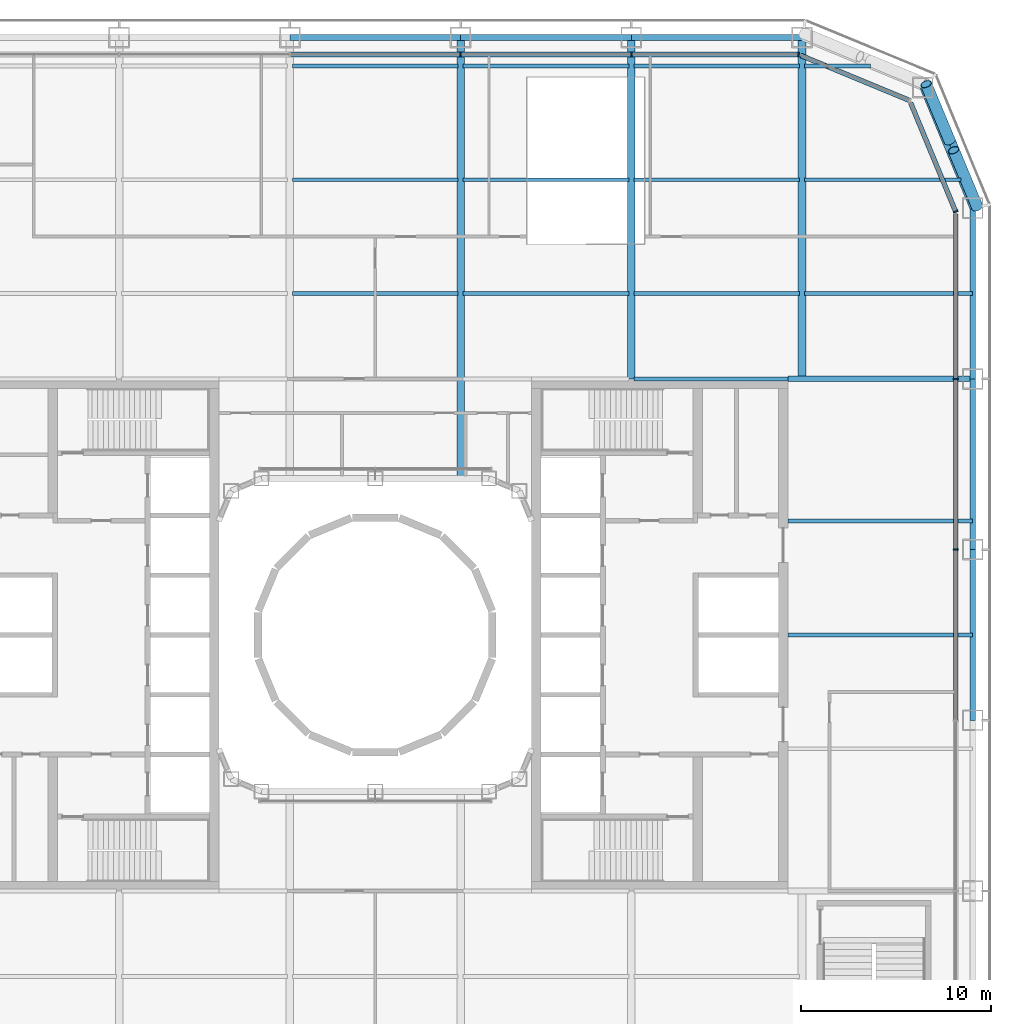
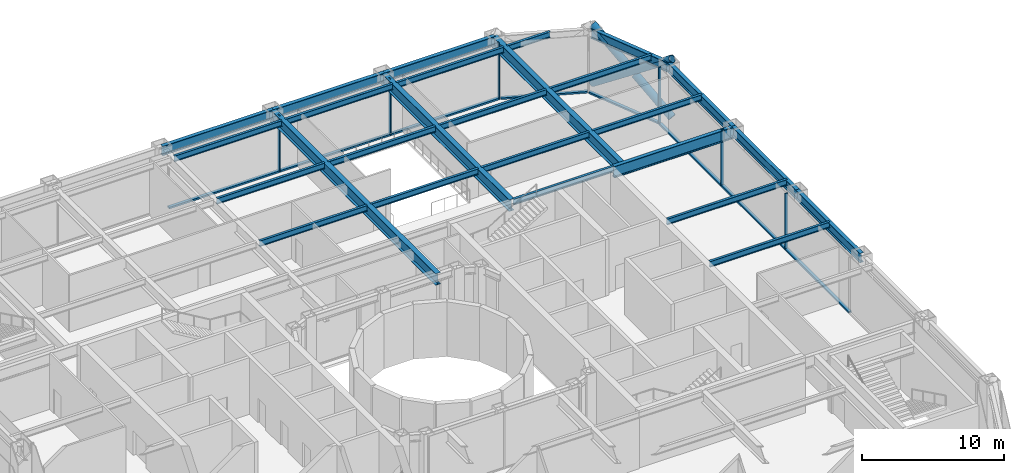
# One storey, part 9 of 24: 26 beams, 17 members, 4 elements without a shape of their own.
"""IFC4 building model written with IfcOpenShell, lengths in metres."""

from ifc_helpers import new_model, si_unit, direction, frame, origin, origin_2d, place, context, subcontext, project, spatial, rectangle, hollow_circle, i_section, extrude, material, layer, layer_set, material_profile, profile_set, type_object, element, aggregate, save


model = new_model("IFC4")

# Units and contexts
model_context = context("Model", 3, precision=1e-05, world=origin(), true_north=direction((0.0, 1.0)))
body_context = subcontext(model_context, "Body", "Model", "MODEL_VIEW")
ifc_project = project(units=[si_unit("LENGTHUNIT", "METRE"), si_unit("AREAUNIT", "SQUARE_METRE"), si_unit("VOLUMEUNIT", "CUBIC_METRE"), si_unit("PLANEANGLEUNIT", "RADIAN"), si_unit("MASSUNIT", "GRAM", prefix="KILO")], contexts=[model_context])

# Site, building, storey
site_placement = place(None, origin())
site = spatial("IfcSite", under=ifc_project, at=site_placement, CompositionType="ELEMENT")
building_placement = place(site_placement, origin())
building = spatial("IfcBuilding", under=site, at=building_placement, Name="Siwar Civic Tower", CompositionType="ELEMENT")
storey_placement = place(building_placement, frame((0.0, 0.0, 12.199951171875)))
storey = spatial("IfcBuildingStorey", under=building, at=storey_placement, Name="L02", CompositionType="ELEMENT", Elevation=12.199951171875)

# Curtain wall, members
ifc_material_1 = material(Name="Aluminium and glass", Category="aluminium")
ifc_layer_1 = layer(ifc_material_1, 0.25)
ifc_layer_set_1 = layer_set([ifc_layer_1], Name="Aluminium and glass")
curtain_wall_type_1 = type_object("IfcCurtainWallType", Name="ENV-CW-H", PredefinedType="NOTDEFINED", material=ifc_layer_set_1)
curtain_wall_1_placement = place(storey_placement, origin())
curtain_wall_1 = element("IfcCurtainWall", 1, at=curtain_wall_1_placement, inside=storey, type_object=curtain_wall_type_1, Name="Curtain wall H E", PredefinedType="NOTDEFINED")
ifc_material_2 = material(Name="Aluminium 6063-T6", Category="aluminium")
ifc_material_profile_1 = material_profile(ifc_material_2, rectangle(XDim=0.25, YDim=0.080078125, at=origin_2d()), Name="AL 250x80")
ifc_profile_set_1 = profile_set([ifc_material_profile_1], Name="Aluminium 6063-T6")
member_type_1 = type_object("IfcMemberType", Name="ENV-MULLION-H", PredefinedType="MULLION", material=ifc_profile_set_1)
member_1_placement = place(storey_placement, frame((30.60009765625, 4.5, 0.0), z_axis=(0.0, 0.0, 1.0), x_axis=(-1.0, 0.0, 0.0)))
member_1 = element("IfcMember", 2, at=member_1_placement, type_object=member_type_1, Name="Mullion H E 4", PredefinedType="MULLION", context=body_context, shape_type="SweptSolid", body=[
    extrude(rectangle(XDim=0.25, YDim=0.080078125, at=origin_2d()), origin(), (0.0, 0.0, 1.0), 4.85009765625),
])
member_2_placement = place(storey_placement, frame((30.60009765625, 13.5, 0.0), z_axis=(0.0, 0.0, 1.0), x_axis=(-1.0, 0.0, 0.0)))
member_2 = element("IfcMember", 3, at=member_2_placement, type_object=member_type_1, Name="Mullion H E 5", PredefinedType="MULLION", context=body_context, shape_type="SweptSolid", body=[
    extrude(rectangle(XDim=0.25, YDim=0.080078125, at=origin_2d()), origin(), (0.0, 0.0, 1.0), 4.85009765625),
])

# Curtain wall, member
ifc_material_3 = material(Name="Aluminium clad insulated panel", Category="aluminium")
ifc_layer_2 = layer(ifc_material_3, 0.25)
ifc_layer_set_2 = layer_set([ifc_layer_2], Name="Aluminium clad insulated panel")
curtain_wall_type_2 = type_object("IfcCurtainWallType", Name="ENV-CW-HX", PredefinedType="NOTDEFINED", material=ifc_layer_set_2)
curtain_wall_2_placement = place(storey_placement, origin())
curtain_wall_2 = element("IfcCurtainWall", 4, at=curtain_wall_2_placement, inside=storey, type_object=curtain_wall_type_2, Name="Curtain wall H NE1", PredefinedType="NOTDEFINED")
member_3_placement = place(storey_placement, frame((30.60009765625, 22.321044921875, 0.0), z_axis=(0.0, 0.0, 1.0), x_axis=(-0.923879532511, -0.382683432365, 0.0)))
member_3 = element("IfcMember", 5, at=member_3_placement, type_object=member_type_1, Name="Mullion H NE1 1", PredefinedType="MULLION", context=body_context, shape_type="SweptSolid", body=[
    extrude(rectangle(XDim=0.25, YDim=0.080078125, at=origin_2d()), origin(), (0.0, 0.0, 1.0), 4.85009765625),
])

# Curtain wall, members
curtain_wall_3_placement = place(storey_placement, origin())
curtain_wall_3 = element("IfcCurtainWall", 6, at=curtain_wall_3_placement, inside=storey, type_object=curtain_wall_type_1, Name="Curtain wall H N", PredefinedType="NOTDEFINED")
member_4_placement = place(storey_placement, frame((22.321044921875, 30.60009765625, 0.0), z_axis=(0.0, 0.0, 1.0), x_axis=(0.0, -1.0, 0.0)))
member_4 = element("IfcMember", 7, at=member_4_placement, type_object=member_type_1, Name="Mullion H N 1", PredefinedType="MULLION", context=body_context, shape_type="SweptSolid", body=[
    extrude(rectangle(XDim=0.25, YDim=0.080078125, at=origin_2d()), origin(), (0.0, 0.0, 1.0), 4.85009765625),
])
member_5_placement = place(storey_placement, frame((13.5, 30.60009765625, 0.0), z_axis=(0.0, 0.0, 1.0), x_axis=(0.0, -1.0, 0.0)))
member_5 = element("IfcMember", 8, at=member_5_placement, type_object=member_type_1, Name="Mullion H N 2", PredefinedType="MULLION", context=body_context, shape_type="SweptSolid", body=[
    extrude(rectangle(XDim=0.25, YDim=0.080078125, at=origin_2d()), origin(), (0.0, 0.0, 1.0), 4.85009765625),
])
member_6_placement = place(storey_placement, frame((4.5, 30.60009765625, 0.0), z_axis=(0.0, 0.0, 1.0), x_axis=(0.0, -1.0, 0.0)))
member_6 = element("IfcMember", 9, at=member_6_placement, type_object=member_type_1, Name="Mullion H N 3", PredefinedType="MULLION", context=body_context, shape_type="SweptSolid", body=[
    extrude(rectangle(XDim=0.25, YDim=0.080078125, at=origin_2d()), origin(), (0.0, 0.0, 1.0), 4.85009765625),
])

# Member
ifc_material_4 = material(Name="Aluminium 6063-T6", Category="aluminium")
ifc_material_profile_2 = material_profile(ifc_material_4, rectangle(XDim=0.25, YDim=0.139892578125, at=origin_2d()), Name="AL 250x140")
ifc_profile_set_2 = profile_set([ifc_material_profile_2], Name="Aluminium 6063-T6")
member_type_2 = type_object("IfcMemberType", Name="ENV-TRANSOM-H", PredefinedType="USERDEFINED", material=ifc_profile_set_2)
member_7_placement = place(storey_placement, frame((30.60009765625, -4.4599609375, 0.070068359375), z_axis=(0.0, 1.0, 0.0), x_axis=(-1.0, 0.0, 0.0)))
member_7 = element("IfcMember", 10, at=member_7_placement, type_object=member_type_2, Name="Transom H E 3", ObjectType="TRANSOM", PredefinedType="USERDEFINED", context=body_context, shape_type="SweptSolid", body=[
    extrude(rectangle(XDim=0.25, YDim=0.139892578125, at=origin_2d()), origin(), (0.0, 0.0, 1.0), 8.919921875),
])

member_8_placement = place(storey_placement, frame((30.60009765625, 4.5400390625, 0.070068359375), z_axis=(0.0, 1.0, 0.0), x_axis=(-1.0, 0.0, 0.0)))
member_8 = element("IfcMember", 11, at=member_8_placement, type_object=member_type_2, Name="Transom H E 4", ObjectType="TRANSOM", PredefinedType="USERDEFINED", context=body_context, shape_type="SweptSolid", body=[
    extrude(rectangle(XDim=0.25, YDim=0.139892578125, at=origin_2d()), origin(), (0.0, 0.0, 1.0), 8.919921875),
])

member_9_placement = place(storey_placement, frame((30.60009765625, 13.5400390625, 0.070068359375), z_axis=(0.0, 1.0, 0.0), x_axis=(-1.0, 0.0, 0.0)))
member_9 = element("IfcMember", 12, at=member_9_placement, type_object=member_type_2, Name="Transom H E 5", ObjectType="TRANSOM", PredefinedType="USERDEFINED", context=body_context, shape_type="SweptSolid", body=[
    extrude(rectangle(XDim=0.25, YDim=0.139892578125, at=origin_2d()), origin(), (0.0, 0.0, 1.0), 8.644287109375),
])

aggregate(curtain_wall_1, [member_1, member_2, member_7, member_8, member_9])

member_10_placement = place(storey_placement, frame((30.584716796875, 22.35791015625, 0.070068359375), z_axis=(-0.382672669604, 0.92388399052, 0.0), x_axis=(-0.92388399052, -0.382672669604, 0.0)))
member_10 = element("IfcMember", 13, at=member_10_placement, type_object=member_type_2, Name="Transom H NE1 1", ObjectType="TRANSOM", PredefinedType="USERDEFINED", context=body_context, shape_type="SweptSolid", body=[
    extrude(rectangle(XDim=0.25, YDim=0.139892578125, at=origin_2d()), origin(), (0.0, 0.0, 1.0), 6.15966796875),
])

aggregate(curtain_wall_2, [member_3, member_10])

# Curtain wall, member
curtain_wall_4_placement = place(storey_placement, origin())
curtain_wall_4 = element("IfcCurtainWall", 14, at=curtain_wall_4_placement, inside=storey, type_object=curtain_wall_type_2, Name="Curtain wall H NE2", PredefinedType="NOTDEFINED")
member_11_placement = place(storey_placement, frame((28.13818359375, 28.1904296875, 0.070068359375), z_axis=(-0.92388399052, 0.382672669604, 0.0), x_axis=(-0.382672669604, -0.92388399052, 0.0)))
member_11 = element("IfcMember", 15, at=member_11_placement, type_object=member_type_2, Name="Transom H NE2 1", ObjectType="TRANSOM", PredefinedType="USERDEFINED", context=body_context, shape_type="SweptSolid", body=[
    extrude(rectangle(XDim=0.25, YDim=0.139892578125, at=origin_2d()), origin(), (0.0, 0.0, 1.0), 6.15966796875),
])
aggregate(curtain_wall_4, [member_11])

# Member
member_12_placement = place(storey_placement, frame((22.281005859375, 30.60009765625, 0.070068359375), z_axis=(-1.0, 0.0, 0.0), x_axis=(0.0, -1.0, 0.0)))
member_12 = element("IfcMember", 16, at=member_12_placement, type_object=member_type_2, Name="Transom H N 1", ObjectType="TRANSOM", PredefinedType="USERDEFINED", context=body_context, shape_type="SweptSolid", body=[
    extrude(rectangle(XDim=0.25, YDim=0.139892578125, at=origin_2d()), origin(), (0.0, 0.0, 1.0), 8.740966796875),
])

member_13_placement = place(storey_placement, frame((13.4599609375, 30.60009765625, 0.070068359375), z_axis=(-1.0, 0.0, 0.0), x_axis=(0.0, -1.0, 0.0)))
member_13 = element("IfcMember", 17, at=member_13_placement, type_object=member_type_2, Name="Transom H N 2", ObjectType="TRANSOM", PredefinedType="USERDEFINED", context=body_context, shape_type="SweptSolid", body=[
    extrude(rectangle(XDim=0.25, YDim=0.139892578125, at=origin_2d()), origin(), (0.0, 0.0, 1.0), 8.919921875),
])

member_14_placement = place(storey_placement, frame((4.4599609375, 30.60009765625, 0.070068359375), z_axis=(-1.0, 0.0, 0.0), x_axis=(0.0, -1.0, 0.0)))
member_14 = element("IfcMember", 18, at=member_14_placement, type_object=member_type_2, Name="Transom H N 3", ObjectType="TRANSOM", PredefinedType="USERDEFINED", context=body_context, shape_type="SweptSolid", body=[
    extrude(rectangle(XDim=0.25, YDim=0.139892578125, at=origin_2d()), origin(), (0.0, 0.0, 1.0), 8.919921875),
])

aggregate(curtain_wall_3, [member_4, member_5, member_6, member_12, member_13, member_14])

# Members
ifc_material_5 = material(Name="Steel S355", Category="steel")
ifc_material_profile_3 = material_profile(ifc_material_5, hollow_circle(Radius=0.304931640625, WallThickness=0.030029296875, at=origin_2d()), Name="CHS610x30")
ifc_profile_set_3 = profile_set([ifc_material_profile_3], Name="Steel S355")
member_type_3 = type_object("IfcMemberType", Name="STR-BR-CHS610x30", PredefinedType="BRACE", material=ifc_profile_set_3)
member_15_placement = place(storey_placement, frame((29.040771484375, 29.040771484375, 0.0), z_axis=(0.313403721941, -0.752344350468, 0.579444635312), x_axis=(0.923108759191, 0.384538969033, 0.0)))
element("IfcMember", 19, at=member_15_placement, inside=storey, type_object=member_type_3, Name="L02/brc/ANE1-1-0-0", PredefinedType="BRACE", context=body_context, shape_type="SweptSolid", body=[
    extrude(hollow_circle(Radius=0.304931640625, WallThickness=0.030029296875, at=origin_2d()), origin(), (0.0, 0.0, 1.0), 8.62890625),
])
for number, where, z_axis, x_axis, name in (
    (20, (31.7451171875, 22.548828125, 0.0), (-0.313373422739, 0.752340560323, 0.5794659431), (-0.923121267833, -0.384508939914, 0.0), "L02/brc/ANE1-1-0-4"),
    (21, (30.293212890625, 26.033935546875, 2.684326171875), (-0.313384515382, 0.752367191316, 0.57942536616), (-0.923121267833, -0.384508939914, 0.0), "L02/brc/ANE1-1-0-5"),
):
    element("IfcMember", number, at=place(storey_placement, frame(where, z_axis=z_axis, x_axis=x_axis)), inside=storey, type_object=member_type_3, Name=name, PredefinedType="BRACE", context=body_context, shape_type="SweptSolid", body=[
        extrude(hollow_circle(Radius=0.304931640625, WallThickness=0.030029296875, at=origin_2d()), origin(), (0.0, 0.0, 1.0), 3.99658203125),
    ])

# Beams
ifc_material_6 = material(Name="Steel S355", Category="steel")
ifc_material_profile_4 = material_profile(ifc_material_6, i_section(OverallWidth=0.199951171875, OverallDepth=0.5, WebThickness=0.01025390625, FlangeThickness=0.01611328125, FilletRadius=0.02099609375, at=origin_2d()), Name="IPE500")
ifc_profile_set_4 = profile_set([ifc_material_profile_4], Name="Steel S355")
beam_type_1 = type_object("IfcBeamType", Name="STR-FB-IPE500", PredefinedType="JOIST", material=ifc_profile_set_4)
for number, where, z_axis, x_axis, name in (
    (22, (21.75, 0.0, 4.60009765625), (1.0, 0.0, 0.0), (0.0, 1.0, 0.0), "L02/bm/F032"),
    (23, (21.75, 6.0, 4.60009765625), (1.0, 0.0, 0.0), (0.0, 1.0, 0.0), "L02/bm/F034"),
):
    element("IfcBeam", number, at=place(storey_placement, frame(where, z_axis=z_axis, x_axis=x_axis)), inside=storey, type_object=beam_type_1, Name=name, PredefinedType="JOIST", context=body_context, shape_type="SweptSolid", body=[
        extrude(i_section(OverallWidth=0.199951171875, OverallDepth=0.5, WebThickness=0.01025390625, FlangeThickness=0.01611328125, FilletRadius=0.02099609375, at=origin_2d()), origin(), (0.0, 0.0, 1.0), 9.75),
    ])
beam_1_placement = place(storey_placement, frame((13.6298828125, 13.5, 4.60009765625), z_axis=(1.0, 0.0, 0.0), x_axis=(0.0, 1.0, 0.0)))
element("IfcBeam", 24, at=beam_1_placement, inside=storey, type_object=beam_type_1, Name="L02/bm/F042", PredefinedType="JOIST", context=body_context, shape_type="SweptSolid", body=[
    extrude(i_section(OverallWidth=0.199951171875, OverallDepth=0.5, WebThickness=0.01025390625, FlangeThickness=0.01611328125, FilletRadius=0.02099609375, at=origin_2d()), origin(), (0.0, 0.0, 1.0), 8.1201171875),
])
for number, where, z_axis, x_axis, name in (
    (25, (-4.3701171875, 18.0, 4.60009765625), (1.0, 0.0, 0.0), (0.0, 1.0, 0.0), "L02/bm/F046"),
    (26, (4.6298828125, 18.0, 4.60009765625), (1.0, 0.0, 0.0), (0.0, 1.0, 0.0), "L02/bm/F047"),
    (27, (13.6298828125, 18.0, 4.60009765625), (1.0, 0.0, 0.0), (0.0, 1.0, 0.0), "L02/bm/F048"),
):
    element("IfcBeam", number, at=place(storey_placement, frame(where, z_axis=z_axis, x_axis=x_axis)), inside=storey, type_object=beam_type_1, Name=name, PredefinedType="JOIST", context=body_context, shape_type="SweptSolid", body=[
        extrude(i_section(OverallWidth=0.199951171875, OverallDepth=0.5, WebThickness=0.01025390625, FlangeThickness=0.01611328125, FilletRadius=0.02099609375, at=origin_2d()), origin(), (0.0, 0.0, 1.0), 8.740234375),
    ])
beam_2_placement = place(storey_placement, frame((22.6298828125, 18.0, 4.60009765625), z_axis=(1.0, 0.0, 0.0), x_axis=(0.0, 1.0, 0.0)))
element("IfcBeam", 28, at=beam_2_placement, inside=storey, type_object=beam_type_1, Name="L02/bm/F049", PredefinedType="JOIST", context=body_context, shape_type="SweptSolid", body=[
    extrude(i_section(OverallWidth=0.199951171875, OverallDepth=0.5, WebThickness=0.01025390625, FlangeThickness=0.01611328125, FilletRadius=0.02099609375, at=origin_2d()), origin(), (0.0, 0.0, 1.0), 8.8701171875),
])
for number, where, z_axis, x_axis, name in (
    (29, (-4.3701171875, 24.0, 4.60009765625), (1.0, 0.0, 0.0), (0.0, 1.0, 0.0), "L02/bm/F052"),
    (30, (4.6298828125, 24.0, 4.60009765625), (1.0, 0.0, 0.0), (0.0, 1.0, 0.0), "L02/bm/F053"),
    (31, (13.6298828125, 24.0, 4.60009765625), (1.0, 0.0, 0.0), (0.0, 1.0, 0.0), "L02/bm/F054"),
):
    element("IfcBeam", number, at=place(storey_placement, frame(where, z_axis=z_axis, x_axis=x_axis)), inside=storey, type_object=beam_type_1, Name=name, PredefinedType="JOIST", context=body_context, shape_type="SweptSolid", body=[
        extrude(i_section(OverallWidth=0.199951171875, OverallDepth=0.5, WebThickness=0.01025390625, FlangeThickness=0.01611328125, FilletRadius=0.02099609375, at=origin_2d()), origin(), (0.0, 0.0, 1.0), 8.740234375),
    ])
beam_3_placement = place(storey_placement, frame((22.6298828125, 24.0, 4.60009765625), z_axis=(1.0, 0.0, 0.0), x_axis=(0.0, 1.0, 0.0)))
element("IfcBeam", 32, at=beam_3_placement, inside=storey, type_object=beam_type_1, Name="L02/bm/F055", PredefinedType="JOIST", context=body_context, shape_type="SweptSolid", body=[
    extrude(i_section(OverallWidth=0.199951171875, OverallDepth=0.5, WebThickness=0.01025390625, FlangeThickness=0.01611328125, FilletRadius=0.02099609375, at=origin_2d()), origin(), (0.0, 0.0, 1.0), 8.248779296875),
])
for number, where, z_axis, x_axis, name in (
    (33, (-4.3701171875, 30.0, 4.60009765625), (1.0, 0.0, 0.0), (0.0, 1.0, 0.0), "L02/bm/F059"),
    (34, (4.6298828125, 30.0, 4.60009765625), (1.0, 0.0, 0.0), (0.0, 1.0, 0.0), "L02/bm/F060"),
    (35, (13.6298828125, 30.0, 4.60009765625), (1.0, 0.0, 0.0), (0.0, 1.0, 0.0), "L02/bm/F061"),
):
    element("IfcBeam", number, at=place(storey_placement, frame(where, z_axis=z_axis, x_axis=x_axis)), inside=storey, type_object=beam_type_1, Name=name, PredefinedType="JOIST", context=body_context, shape_type="SweptSolid", body=[
        extrude(i_section(OverallWidth=0.199951171875, OverallDepth=0.5, WebThickness=0.01025390625, FlangeThickness=0.01611328125, FilletRadius=0.02099609375, at=origin_2d()), origin(), (0.0, 0.0, 1.0), 8.740234375),
    ])
beam_4_placement = place(storey_placement, frame((22.6298828125, 30.0, 4.60009765625), z_axis=(1.0, 0.0, 0.0), x_axis=(0.0, 1.0, 0.0)))
element("IfcBeam", 36, at=beam_4_placement, inside=storey, type_object=beam_type_1, Name="L02/bm/F062", PredefinedType="JOIST", context=body_context, shape_type="SweptSolid", body=[
    extrude(i_section(OverallWidth=0.199951171875, OverallDepth=0.5, WebThickness=0.01025390625, FlangeThickness=0.01611328125, FilletRadius=0.02099609375, at=origin_2d()), origin(), (0.0, 0.0, 1.0), 3.491455078125),
])
ifc_material_7 = material(Name="Steel S355", Category="steel")
ifc_material_profile_5 = material_profile(ifc_material_7, i_section(OverallWidth=0.300048828125, OverallDepth=1.0, WebThickness=0.01904296875, FlangeThickness=0.035888671875, FilletRadius=0.030029296875, at=origin_2d()), Name="HEB1000")
ifc_profile_set_5 = profile_set([ifc_material_profile_5], Name="Steel S355")
beam_type_2 = type_object("IfcBeamType", Name="STR-PG-HEB1000", PredefinedType="BEAM", material=ifc_profile_set_5)
beam_5_placement = place(storey_placement, frame((21.75, 13.5, 4.35009765625), z_axis=(1.0, 0.0, 0.0), x_axis=(0.0, 1.0, 0.0)))
element("IfcBeam", 37, at=beam_5_placement, inside=storey, type_object=beam_type_2, Name="L02/bm/F043", PredefinedType="BEAM", context=body_context, shape_type="SweptSolid", body=[
    extrude(i_section(OverallWidth=0.300048828125, OverallDepth=1.0, WebThickness=0.01904296875, FlangeThickness=0.035888671875, FilletRadius=0.030029296875, at=origin_2d()), origin(), (0.0, 0.0, 1.0), 9.75),
])
ifc_material_8 = material(Name="Steel S355", Category="steel")
ifc_material_profile_6 = material_profile(ifc_material_8, i_section(OverallWidth=0.39990234375, OverallDepth=1.0, WebThickness=0.01611328125, FlangeThickness=0.0400390625, at=origin_2d()), Name="PG1000x400x16x40")
ifc_profile_set_6 = profile_set([ifc_material_profile_6], Name="Steel S355")
beam_type_3 = type_object("IfcBeamType", Name="STR-PG-PG1000x400x16x40", PredefinedType="BEAM", material=ifc_profile_set_6)
beam_6_placement = place(storey_placement, frame((4.5, 8.25, 4.35009765625), z_axis=(0.0, 1.0, 0.0), x_axis=(-1.0, 0.0, 0.0)))
element("IfcBeam", 38, at=beam_6_placement, inside=storey, type_object=beam_type_3, Name="L02/bm/G08", PredefinedType="BEAM", context=body_context, shape_type="SweptSolid", body=[
    extrude(i_section(OverallWidth=0.39990234375, OverallDepth=1.0, WebThickness=0.01611328125, FlangeThickness=0.0400390625, at=origin_2d()), origin(), (0.0, 0.0, 1.0), 23.25),
])
for number, where, z_axis, x_axis, name in (
    (39, (13.5, 13.5, 4.35009765625), (0.0, 1.0, 0.0), (-1.0, 0.0, 0.0), "L02/bm/G10"),
    (40, (22.5, 13.5, 4.35009765625), (0.0, 1.0, 0.0), (-1.0, 0.0, 0.0), "L02/bm/G12"),
):
    element("IfcBeam", number, at=place(storey_placement, frame(where, z_axis=z_axis, x_axis=x_axis)), inside=storey, type_object=beam_type_3, Name=name, PredefinedType="BEAM", context=body_context, shape_type="SweptSolid", body=[
        extrude(i_section(OverallWidth=0.39990234375, OverallDepth=1.0, WebThickness=0.01611328125, FlangeThickness=0.0400390625, at=origin_2d()), origin(), (0.0, 0.0, 1.0), 18.0),
    ])
ifc_material_9 = material(Name="Steel S355", Category="steel")
ifc_material_profile_7 = material_profile(ifc_material_9, i_section(OverallWidth=0.302978515625, OverallDepth=0.81396484375, WebThickness=0.02099609375, FlangeThickness=0.0400390625, FilletRadius=0.030029296875, at=origin_2d()), Name="HEM800")
ifc_profile_set_7 = profile_set([ifc_material_profile_7], Name="Steel S355")
beam_type_4 = type_object("IfcBeamType", Name="STR-SB-HEM800", PredefinedType="BEAM", material=ifc_profile_set_7)
for number, where, z_axis, x_axis, name in (
    (41, (31.5, -4.5, 4.443115234375), (0.0, 1.0, 0.0), (-1.0, 0.0, 0.0), "L02/bm/SE-2"),
    (42, (31.5, 4.5, 4.443115234375), (0.0, 1.0, 0.0), (-1.0, 0.0, 0.0), "L02/bm/SE-3"),
    (43, (31.5, 13.5, 4.443115234375), (0.0, 1.0, 0.0), (-1.0, 0.0, 0.0), "L02/bm/SE-4"),
):
    element("IfcBeam", number, at=place(storey_placement, frame(where, z_axis=z_axis, x_axis=x_axis)), inside=storey, type_object=beam_type_4, Name=name, PredefinedType="BEAM", context=body_context, shape_type="SweptSolid", body=[
        extrude(i_section(OverallWidth=0.302978515625, OverallDepth=0.81396484375, WebThickness=0.02099609375, FlangeThickness=0.0400390625, FilletRadius=0.030029296875, at=origin_2d()), origin(), (0.0, 0.0, 1.0), 9.0),
    ])
beam_7_placement = place(storey_placement, frame((31.5, 22.5, 4.443115234375), z_axis=(-0.382674207535, 0.923883353507, 0.0), x_axis=(-0.923883353507, -0.382674207535, 0.0)))
element("IfcBeam", 44, at=beam_7_placement, inside=storey, type_object=beam_type_4, Name="L02/bm/SNE1-0", PredefinedType="BEAM", context=body_context, shape_type="SweptSolid", body=[
    extrude(i_section(OverallWidth=0.302978515625, OverallDepth=0.81396484375, WebThickness=0.02099609375, FlangeThickness=0.0400390625, FilletRadius=0.030029296875, at=origin_2d()), origin(), (0.0, 0.0, 1.0), 6.888427734375),
])
for number, where, z_axis, x_axis, name in (
    (45, (22.5, 31.5, 4.443115234375), (-1.0, 0.0, 0.0), (0.0, -1.0, 0.0), "L02/bm/SN-0"),
    (46, (13.5, 31.5, 4.443115234375), (-1.0, 0.0, 0.0), (0.0, -1.0, 0.0), "L02/bm/SN-1"),
    (47, (4.5, 31.5, 4.443115234375), (-1.0, 0.0, 0.0), (0.0, -1.0, 0.0), "L02/bm/SN-2"),
):
    element("IfcBeam", number, at=place(storey_placement, frame(where, z_axis=z_axis, x_axis=x_axis)), inside=storey, type_object=beam_type_4, Name=name, PredefinedType="BEAM", context=body_context, shape_type="SweptSolid", body=[
        extrude(i_section(OverallWidth=0.302978515625, OverallDepth=0.81396484375, WebThickness=0.02099609375, FlangeThickness=0.0400390625, FilletRadius=0.030029296875, at=origin_2d()), origin(), (0.0, 0.0, 1.0), 9.0),
    ])

save(model, "model.ifc")
